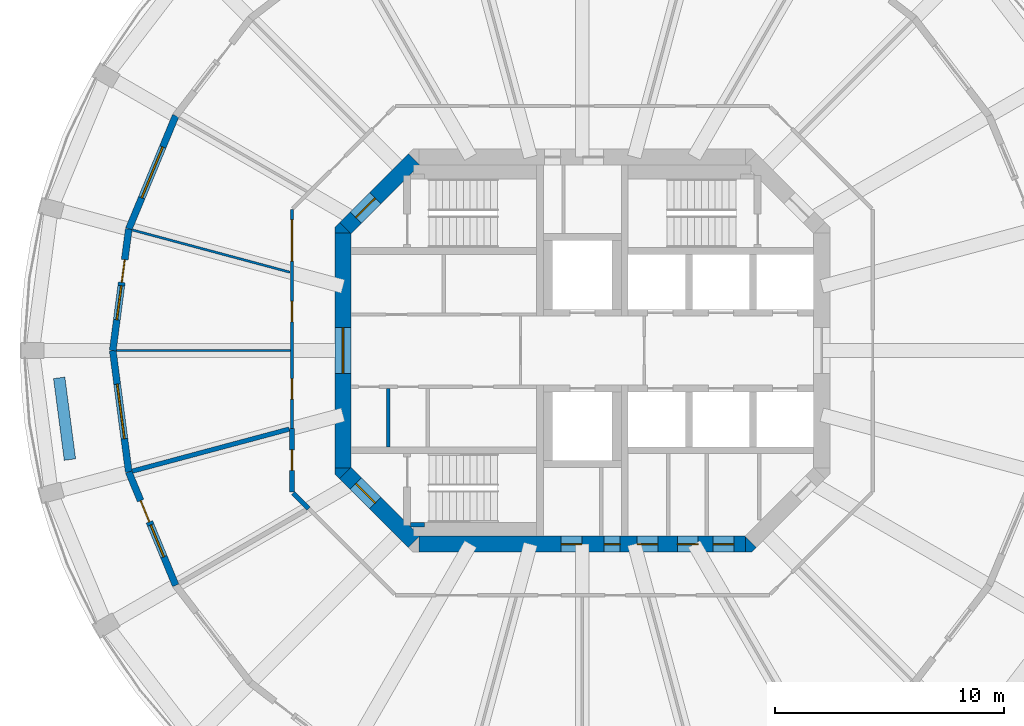
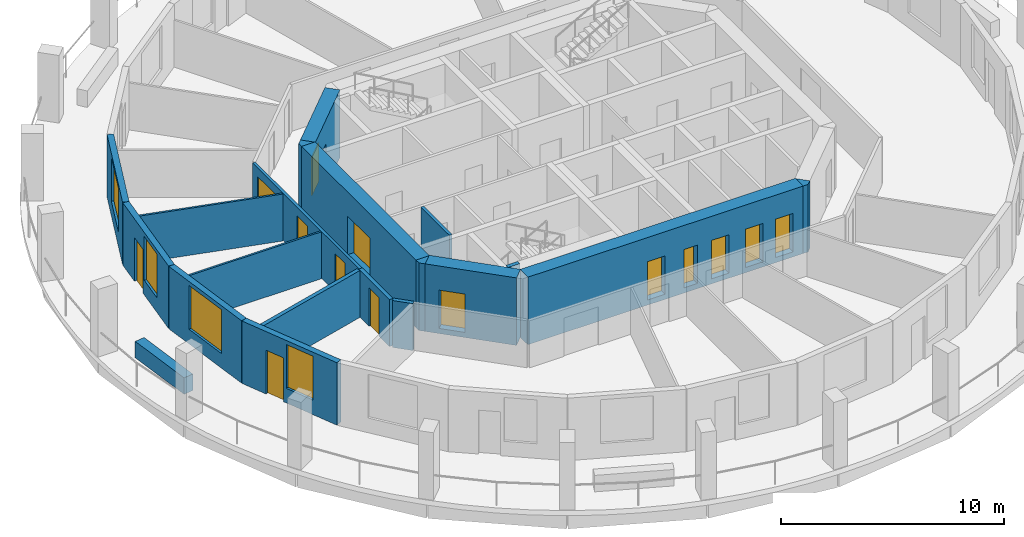
# One storey, part 3 of 9: 20 walls, 14 doors, 4 windows, 18 openings.
"""IFC4 building model written with IfcOpenShell, lengths in metres."""

from ifc_helpers import new_model, si_unit, direction, frame, frame_2d, origin, place, context, subcontext, project, spatial, polyline, rectangle, outline, extrude, material, layer, layer_set, type_object, element, fill, save


model = new_model("IFC4")

# Units and contexts
model_context = context("Model", 3, precision=1e-05, world=origin(), true_north=direction((0.0, 1.0)))
body_context = subcontext(model_context, "Body", "Model", "MODEL_VIEW")
ifc_project = project(units=[si_unit("LENGTHUNIT", "METRE"), si_unit("AREAUNIT", "SQUARE_METRE"), si_unit("VOLUMEUNIT", "CUBIC_METRE"), si_unit("PLANEANGLEUNIT", "RADIAN"), si_unit("MASSUNIT", "GRAM", prefix="KILO")], contexts=[model_context])

# Site, building, storey
site_placement = place(None, origin())
site = spatial("IfcSite", under=ifc_project, at=site_placement, CompositionType="ELEMENT")
building_placement = place(site_placement, origin())
building = spatial("IfcBuilding", under=site, at=building_placement, Name="Torre Triforio", CompositionType="ELEMENT")
storey_placement = place(building_placement, frame((0.0, 0.0, 237.199951171875)))
storey = spatial("IfcBuildingStorey", under=building, at=storey_placement, Name="L54", CompositionType="ELEMENT", Elevation=237.199951171875)

# Wall, openings, doors
ifc_material_1 = material(Name="Concrete C50", Category="concrete")
ifc_layer_1 = layer(ifc_material_1, 0.699951171875)
ifc_layer_set_1 = layer_set([ifc_layer_1], Name="Concrete C50")
wall_type_1 = type_object("IfcWallType", Name="Core wall 700 mm C50 EI 120", PredefinedType="SHEAR", material=ifc_layer_set_1)
wall_1_placement = place(storey_placement, frame((-7.1298828125, -8.449951171875, -0.280029296875), z_axis=(0.0, 0.0, 1.0), x_axis=(1.0, 0.0, 0.0)))
wall_1 = element("IfcWall", 1, at=wall_1_placement, inside=storey, type_object=wall_type_1, Name="Core wall", PredefinedType="SHEAR", context=body_context, shape_type="SweptSolid", body=[
    extrude(rectangle(XDim=14.259765625, YDim=0.699951171875, at=frame_2d((7.1298828125, 0.0))), origin(), (0.0, 0.0, 1.0), 3.7001953125),
])
opening_1_placement = place(wall_1_placement, frame((8.080078125, 0.0, 0.280029296875)))
opening_1 = element("IfcOpeningElement", 2, at=opening_1_placement, cuts=wall_1, Name="Opening RISER-S", PredefinedType="OPENING", context=body_context, shape_type="SweptSolid", body=[
    extrude(rectangle(XDim=0.699951171875, YDim=2.10009765625, at=frame_2d((0.35009765625, 1.050048828125))), frame((0.0, 0.35986328125, 0.0), z_axis=(0.0, -1.0, 0.0), x_axis=(1.0, 0.0, 0.0)), (0.0, 0.0, 1.0), 0.719970703125),
])
opening_2_placement = place(wall_1_placement, frame((6.205078125, 0.0, 0.280029296875)))
opening_2 = element("IfcOpeningElement", 3, at=opening_2_placement, cuts=wall_1, Name="Opening SW-01B", PredefinedType="OPENING", context=body_context, shape_type="SweptSolid", body=[
    extrude(rectangle(XDim=0.89990234375, YDim=2.10009765625, at=frame_2d((0.449951171875, 1.050048828125))), frame((0.0, 0.35986328125, 0.0), z_axis=(0.0, -1.0, 0.0), x_axis=(1.0, 0.0, 0.0)), (0.0, 0.0, 1.0), 0.719970703125),
])
opening_3_placement = place(wall_1_placement, frame((9.521484375, 0.0, 0.280029296875)))
opening_3 = element("IfcOpeningElement", 4, at=opening_3_placement, cuts=wall_1, Name="Opening SE-01", PredefinedType="OPENING", context=body_context, shape_type="SweptSolid", body=[
    extrude(rectangle(XDim=0.89990234375, YDim=2.10009765625, at=frame_2d((0.449951171875, 1.050048828125))), frame((0.0, 0.35986328125, 0.0), z_axis=(0.0, -1.0, 0.0), x_axis=(1.0, 0.0, 0.0)), (0.0, 0.0, 1.0), 0.719970703125),
])
opening_4_placement = place(wall_1_placement, frame((11.278076171875, 0.0, 0.280029296875)))
opening_4 = element("IfcOpeningElement", 5, at=opening_4_placement, cuts=wall_1, Name="Opening SE-02", PredefinedType="OPENING", context=body_context, shape_type="SweptSolid", body=[
    extrude(rectangle(XDim=0.89990234375, YDim=2.10009765625, at=frame_2d((0.449951171875, 1.050048828125))), frame((0.0, 0.35986328125, 0.0), z_axis=(0.0, -1.0, 0.0), x_axis=(1.0, 0.0, 0.0)), (0.0, 0.0, 1.0), 0.719970703125),
])
opening_5_placement = place(wall_1_placement, frame((12.840087890625, 0.0, 0.280029296875)))
opening_5 = element("IfcOpeningElement", 6, at=opening_5_placement, cuts=wall_1, Name="Opening SE-03", PredefinedType="OPENING", context=body_context, shape_type="SweptSolid", body=[
    extrude(rectangle(XDim=0.89990234375, YDim=2.10009765625, at=frame_2d((0.449951171875, 1.050048828125))), frame((0.0, 0.35986328125, 0.0), z_axis=(0.0, -1.0, 0.0), x_axis=(1.0, 0.0, 0.0)), (0.0, 0.0, 1.0), 0.719970703125),
])
ifc_material_2 = material(Name="Hollow metal fire door leaf")
door_type_1 = type_object("IfcDoorType", Name="Plant room door 900 x 2100 EI 60", OperationType="NOTDEFINED", PredefinedType="DOOR", material=ifc_material_2)
door_1_placement = place(opening_3_placement, origin())
door_1 = element("IfcDoor", 7, at=door_1_placement, inside=storey, type_object=door_type_1, Name="Core door SE-01", OperationType="SINGLE_SWING_LEFT", OverallHeight=2.10009765625, OverallWidth=0.89990234375, PredefinedType="DOOR", context=body_context, shape_type="SweptSolid", body=[
    extrude(rectangle(XDim=0.89990234375, YDim=2.10009765625, at=frame_2d((0.449951171875, 1.050048828125))), frame((0.0, 0.02490234375, 0.0), z_axis=(0.0, -1.0, 0.0), x_axis=(1.0, 0.0, 0.0)), (0.0, 0.0, 1.0), 0.050048828125),
])
fill(opening_3, door_1)
door_type_2 = type_object("IfcDoorType", Name="Riser door 700 x 2100 EI 60", OperationType="NOTDEFINED", PredefinedType="DOOR", material=ifc_material_2)
door_2_placement = place(opening_1_placement, origin())
door_2 = element("IfcDoor", 8, at=door_2_placement, inside=storey, type_object=door_type_2, Name="Core door RISER-S", OperationType="SINGLE_SWING_RIGHT", OverallHeight=2.10009765625, OverallWidth=0.699951171875, PredefinedType="DOOR", context=body_context, shape_type="SweptSolid", body=[
    extrude(rectangle(XDim=0.699951171875, YDim=2.10009765625, at=frame_2d((0.35009765625, 1.050048828125))), frame((0.0, 0.02490234375, 0.0), z_axis=(0.0, -1.0, 0.0), x_axis=(1.0, 0.0, 0.0)), (0.0, 0.0, 1.0), 0.050048828125),
])
fill(opening_1, door_2)
door_type_3 = type_object("IfcDoorType", Name="Room door 900 x 2100 EI 60", OperationType="NOTDEFINED", PredefinedType="DOOR", material=ifc_material_2)
door_3_placement = place(opening_2_placement, origin())
door_3 = element("IfcDoor", 9, at=door_3_placement, inside=storey, type_object=door_type_3, Name="Core door SW-01", OperationType="SINGLE_SWING_LEFT", OverallHeight=2.10009765625, OverallWidth=0.89990234375, PredefinedType="DOOR", context=body_context, shape_type="SweptSolid", body=[
    extrude(rectangle(XDim=0.89990234375, YDim=2.10009765625, at=frame_2d((0.449951171875, 1.050048828125))), frame((0.0, 0.02490234375, 0.0), z_axis=(0.0, -1.0, 0.0), x_axis=(1.0, 0.0, 0.0)), (0.0, 0.0, 1.0), 0.050048828125),
])
fill(opening_2, door_3)
door_4_placement = place(opening_4_placement, origin())
door_4 = element("IfcDoor", 10, at=door_4_placement, inside=storey, type_object=door_type_3, Name="Core door SE-02", OperationType="SINGLE_SWING_LEFT", OverallHeight=2.10009765625, OverallWidth=0.89990234375, PredefinedType="DOOR", context=body_context, shape_type="SweptSolid", body=[
    extrude(rectangle(XDim=0.89990234375, YDim=2.10009765625, at=frame_2d((0.449951171875, 1.050048828125))), frame((0.0, 0.02490234375, 0.0), z_axis=(0.0, -1.0, 0.0), x_axis=(1.0, 0.0, 0.0)), (0.0, 0.0, 1.0), 0.050048828125),
])
fill(opening_4, door_4)
door_5_placement = place(opening_5_placement, origin())
door_5 = element("IfcDoor", 11, at=door_5_placement, inside=storey, type_object=door_type_3, Name="Core door SE-03", OperationType="SINGLE_SWING_LEFT", OverallHeight=2.10009765625, OverallWidth=0.89990234375, PredefinedType="DOOR", context=body_context, shape_type="SweptSolid", body=[
    extrude(rectangle(XDim=0.89990234375, YDim=2.10009765625, at=frame_2d((0.449951171875, 1.050048828125))), frame((0.0, 0.02490234375, 0.0), z_axis=(0.0, -1.0, 0.0), x_axis=(1.0, 0.0, 0.0)), (0.0, 0.0, 1.0), 0.050048828125),
])
fill(opening_5, door_5)

# Wall, opening, door
wall_2_placement = place(storey_placement, frame((-10.449951171875, -5.1298828125, -0.280029296875), z_axis=(0.0, 0.0, 1.0), x_axis=(0.0, 1.0, 0.0)))
wall_2 = element("IfcWall", 12, at=wall_2_placement, inside=storey, type_object=wall_type_1, Name="Core wall", PredefinedType="SHEAR", context=body_context, shape_type="SweptSolid", body=[
    extrude(rectangle(XDim=10.259765625, YDim=0.699951171875, at=frame_2d((5.1298828125, 0.0))), origin(), (0.0, 0.0, 1.0), 3.7001953125),
])
opening_6_placement = place(wall_2_placement, frame((4.1298828125, 0.0, 0.280029296875)))
opening_6 = element("IfcOpeningElement", 13, at=opening_6_placement, cuts=wall_2, Name="Opening W-RING", PredefinedType="OPENING", context=body_context, shape_type="SweptSolid", body=[
    extrude(rectangle(XDim=2.0, YDim=2.10009765625, at=frame_2d((1.0, 1.050048828125))), frame((0.0, 0.35986328125, 0.0), z_axis=(0.0, -1.0, 0.0), x_axis=(1.0, 0.0, 0.0)), (0.0, 0.0, 1.0), 0.719970703125),
])
door_type_4 = type_object("IfcDoorType", Name="Lobby door 2000 x 2100 EI 60", OperationType="DOUBLE_DOOR_SINGLE_SWING", PredefinedType="DOOR", material=ifc_material_2)
door_6_placement = place(opening_6_placement, origin())
door_6 = element("IfcDoor", 14, at=door_6_placement, inside=storey, type_object=door_type_4, Name="Core door W-RING", OperationType="DOUBLE_DOOR_SINGLE_SWING", OverallHeight=2.10009765625, OverallWidth=2.0, PredefinedType="DOOR", context=body_context, shape_type="SweptSolid", body=[
    extrude(rectangle(XDim=2.0, YDim=2.10009765625, at=frame_2d((1.0, 1.050048828125))), frame((0.0, 0.02490234375, 0.0), z_axis=(0.0, -1.0, 0.0), x_axis=(1.0, 0.0, 0.0)), (0.0, 0.0, 1.0), 0.050048828125),
])
fill(opening_6, door_6)

wall_3_placement = place(storey_placement, frame((-10.347412109375, 5.347412109375, -0.280029296875), z_axis=(0.0, 0.0, 1.0), x_axis=(0.707106781187, 0.707106781187, 0.0)))
wall_3 = element("IfcWall", 15, at=wall_3_placement, inside=storey, type_object=wall_type_1, Name="Core wall", PredefinedType="SHEAR", context=body_context, shape_type="SweptSolid", body=[
    extrude(rectangle(XDim=4.24267578125, YDim=0.699951171875, at=frame_2d((2.121337890625, 0.0))), origin(), (0.0, 0.0, 1.0), 3.7001953125),
])
opening_7_placement = place(wall_3_placement, frame((0.64990234375, 0.0, 0.280029296875)))
opening_7 = element("IfcOpeningElement", 16, at=opening_7_placement, cuts=wall_3, Name="Opening ST1-EXIT", PredefinedType="OPENING", context=body_context, shape_type="SweptSolid", body=[
    extrude(rectangle(XDim=1.199951171875, YDim=2.10009765625, at=frame_2d((0.60009765625, 1.050048828125))), frame((0.0, 0.35986328125, 0.0), z_axis=(0.0, -1.0, 0.0), x_axis=(1.0, 0.0, 0.0)), (0.0, 0.0, 1.0), 0.719970703125),
])
door_type_5 = type_object("IfcDoorType", Name="Stair lobby door 1200 x 2100 EI 60", OperationType="NOTDEFINED", PredefinedType="DOOR", material=ifc_material_2)
door_7_placement = place(opening_7_placement, origin())
door_7 = element("IfcDoor", 17, at=door_7_placement, inside=storey, type_object=door_type_5, Name="Core door ST1-EXIT", OperationType="SINGLE_SWING_RIGHT", OverallHeight=2.10009765625, OverallWidth=1.199951171875, PredefinedType="DOOR", context=body_context, shape_type="SweptSolid", body=[
    extrude(rectangle(XDim=1.199951171875, YDim=2.10009765625, at=frame_2d((0.60009765625, 1.050048828125))), frame((0.0, 0.02490234375, 0.0), z_axis=(0.0, -1.0, 0.0), x_axis=(1.0, 0.0, 0.0)), (0.0, 0.0, 1.0), 0.050048828125),
])
fill(opening_7, door_7)

wall_4_placement = place(storey_placement, frame((-7.347412109375, -8.347412109375, -0.280029296875), z_axis=(0.0, 0.0, 1.0), x_axis=(-0.707106781187, 0.707106781187, 0.0)))
wall_4 = element("IfcWall", 18, at=wall_4_placement, inside=storey, type_object=wall_type_1, Name="Core wall", PredefinedType="SHEAR", context=body_context, shape_type="SweptSolid", body=[
    extrude(rectangle(XDim=4.24267578125, YDim=0.699951171875, at=frame_2d((2.121337890625, 0.0))), origin(), (0.0, 0.0, 1.0), 3.7001953125),
])
opening_8_placement = place(wall_4_placement, frame((2.392578125, 0.0, 0.280029296875)))
opening_8 = element("IfcOpeningElement", 19, at=opening_8_placement, cuts=wall_4, Name="Opening ST3-EXIT", PredefinedType="OPENING", context=body_context, shape_type="SweptSolid", body=[
    extrude(rectangle(XDim=1.199951171875, YDim=2.10009765625, at=frame_2d((0.60009765625, 1.050048828125))), frame((0.0, 0.35986328125, 0.0), z_axis=(0.0, -1.0, 0.0), x_axis=(1.0, 0.0, 0.0)), (0.0, 0.0, 1.0), 0.719970703125),
])
door_8_placement = place(opening_8_placement, origin())
door_8 = element("IfcDoor", 20, at=door_8_placement, inside=storey, type_object=door_type_5, Name="Core door ST3-EXIT", OperationType="SINGLE_SWING_RIGHT", OverallHeight=2.10009765625, OverallWidth=1.199951171875, PredefinedType="DOOR", context=body_context, shape_type="SweptSolid", body=[
    extrude(rectangle(XDim=1.199951171875, YDim=2.10009765625, at=frame_2d((0.60009765625, 1.050048828125))), frame((0.0, 0.02490234375, 0.0), z_axis=(0.0, -1.0, 0.0), x_axis=(1.0, 0.0, 0.0)), (0.0, 0.0, 1.0), 0.050048828125),
])
fill(opening_8, door_8)

# Walls
wall_5_placement = place(storey_placement, frame((0.0, 0.0, -0.280029296875)))
element("IfcWall", 21, at=wall_5_placement, inside=storey, type_object=wall_type_1, Name="Core wall", PredefinedType="SHEAR", context=body_context, shape_type="SweptSolid", body=[
    extrude(outline(polyline([(7.389892578125, -8.800048828125), (7.1298828125, -8.800048828125), (7.1298828125, -8.800048828125), (7.1298828125, -8.1298828125), (7.594970703125, -8.594970703125), (7.594970703125, -8.594970703125), (7.594970703125, -8.594970703125), (7.389892578125, -8.800048828125)])), origin(), (0.0, 0.0, 1.0), 3.7001953125),
])
wall_6_placement = place(storey_placement, frame((0.0, 0.0, -0.280029296875)))
element("IfcWall", 22, at=wall_6_placement, inside=storey, type_object=wall_type_1, Name="Core wall", PredefinedType="SHEAR", context=body_context, shape_type="SweptSolid", body=[
    extrude(outline(polyline([(-10.800048828125, -5.389892578125), (-10.800048828125, -5.1298828125), (-10.800048828125, -5.1298828125), (-10.1298828125, -5.1298828125), (-10.594970703125, -5.594970703125), (-10.594970703125, -5.594970703125), (-10.594970703125, -5.594970703125), (-10.800048828125, -5.389892578125)])), origin(), (0.0, 0.0, 1.0), 3.7001953125),
])
wall_7_placement = place(storey_placement, frame((0.0, 0.0, -0.280029296875)))
element("IfcWall", 23, at=wall_7_placement, inside=storey, type_object=wall_type_1, Name="Core wall", PredefinedType="SHEAR", context=body_context, shape_type="SweptSolid", body=[
    extrude(outline(polyline([(-10.594970703125, 5.594970703125), (-10.594970703125, 5.594970703125), (-10.594970703125, 5.594970703125), (-10.1298828125, 5.1298828125), (-10.800048828125, 5.1298828125), (-10.800048828125, 5.1298828125), (-10.800048828125, 5.389892578125), (-10.594970703125, 5.594970703125)])), origin(), (0.0, 0.0, 1.0), 3.7001953125),
])

# Wall, openings, doors
ifc_material_3 = material(Name="Plasterboard on metal studs")
ifc_layer_2 = layer(ifc_material_3, 0.14990234375)
ifc_layer_set_2 = layer_set([ifc_layer_2], Name="Plasterboard on metal studs")
wall_type_2 = type_object("IfcWallType", Name="Corridor and tenancy wall 150 mm EI 60", PredefinedType="PARTITIONING", material=ifc_layer_set_2)
wall_8_placement = place(storey_placement, frame((-12.675048828125, -3.396240234375, 0.0), z_axis=(0.0, 0.0, 1.0), x_axis=(0.0, 1.0, 0.0)))
wall_8 = element("IfcWall", 24, at=wall_8_placement, inside=storey, type_object=wall_type_2, Name="Partition 6", PredefinedType="PARTITIONING", context=body_context, shape_type="SweptSolid", body=[
    extrude(rectangle(XDim=9.562744140625, YDim=0.14990234375, at=frame_2d((4.78125, 0.0))), origin(), (0.0, 0.0, 1.0), 2.570068359375),
])
opening_9_placement = place(wall_8_placement, frame((7.302734375, 0.0, 0.0)))
opening_9 = element("IfcOpeningElement", 25, at=opening_9_placement, cuts=wall_8, Name="Opening O8-13", PredefinedType="OPENING", context=body_context, shape_type="SweptSolid", body=[
    extrude(rectangle(XDim=1.800048828125, YDim=2.10009765625, at=frame_2d((0.89990234375, 1.050048828125))), frame((0.0, 0.0849609375, 0.0), z_axis=(0.0, -1.0, 0.0), x_axis=(1.0, 0.0, 0.0)), (0.0, 0.0, 1.0), 0.169921875),
])
opening_10_placement = place(wall_8_placement, frame((4.645263671875, 0.0, 0.0)))
opening_10 = element("IfcOpeningElement", 26, at=opening_10_placement, cuts=wall_8, Name="Opening O8-14", PredefinedType="OPENING", context=body_context, shape_type="SweptSolid", body=[
    extrude(rectangle(XDim=0.89990234375, YDim=2.10009765625, at=frame_2d((0.449951171875, 1.050048828125))), frame((0.0, 0.0849609375, 0.0), z_axis=(0.0, -1.0, 0.0), x_axis=(1.0, 0.0, 0.0)), (0.0, 0.0, 1.0), 0.169921875),
])
opening_11_placement = place(wall_8_placement, frame((1.273193359375, 0.0, 0.0)))
opening_11 = element("IfcOpeningElement", 27, at=opening_11_placement, cuts=wall_8, Name="Opening O8-15", PredefinedType="OPENING", context=body_context, shape_type="SweptSolid", body=[
    extrude(rectangle(XDim=0.89990234375, YDim=2.10009765625, at=frame_2d((0.449951171875, 1.050048828125))), frame((0.0, 0.0849609375, 0.0), z_axis=(0.0, -1.0, 0.0), x_axis=(1.0, 0.0, 0.0)), (0.0, 0.0, 1.0), 0.169921875),
])
ifc_material_4 = material(Name="Timber", Category="wood")
door_type_6 = type_object("IfcDoorType", Name="Door 1800 x 2100 double leaf EI 30", OperationType="DOUBLE_DOOR_SINGLE_SWING", PredefinedType="DOOR", material=ifc_material_4)
door_9_placement = place(opening_9_placement, origin())
door_9 = element("IfcDoor", 28, at=door_9_placement, inside=storey, type_object=door_type_6, Name="Door O8-13", OperationType="DOUBLE_DOOR_SINGLE_SWING", OverallHeight=2.10009765625, OverallWidth=1.800048828125, PredefinedType="DOOR", context=body_context, shape_type="SweptSolid", body=[
    extrude(rectangle(XDim=1.800048828125, YDim=2.10009765625, at=frame_2d((0.89990234375, 1.050048828125))), frame((0.0, 0.02490234375, 0.0), z_axis=(0.0, -1.0, 0.0), x_axis=(1.0, 0.0, 0.0)), (0.0, 0.0, 1.0), 0.050048828125),
])
fill(opening_9, door_9)
door_type_7 = type_object("IfcDoorType", Name="Door 900 x 2100 single leaf EI 30", OperationType="NOTDEFINED", PredefinedType="DOOR", material=ifc_material_4)
door_10_placement = place(opening_10_placement, origin())
door_10 = element("IfcDoor", 29, at=door_10_placement, inside=storey, type_object=door_type_7, Name="Door O8-14", OperationType="SINGLE_SWING_LEFT", OverallHeight=2.10009765625, OverallWidth=0.89990234375, PredefinedType="DOOR", context=body_context, shape_type="SweptSolid", body=[
    extrude(rectangle(XDim=0.89990234375, YDim=2.10009765625, at=frame_2d((0.449951171875, 1.050048828125))), frame((0.0, 0.02490234375, 0.0), z_axis=(0.0, -1.0, 0.0), x_axis=(1.0, 0.0, 0.0)), (0.0, 0.0, 1.0), 0.050048828125),
])
fill(opening_10, door_10)
door_11_placement = place(opening_11_placement, origin())
door_11 = element("IfcDoor", 30, at=door_11_placement, inside=storey, type_object=door_type_7, Name="Door O8-15", OperationType="SINGLE_SWING_LEFT", OverallHeight=2.10009765625, OverallWidth=0.89990234375, PredefinedType="DOOR", context=body_context, shape_type="SweptSolid", body=[
    extrude(rectangle(XDim=0.89990234375, YDim=2.10009765625, at=frame_2d((0.449951171875, 1.050048828125))), frame((0.0, 0.02490234375, 0.0), z_axis=(0.0, -1.0, 0.0), x_axis=(1.0, 0.0, 0.0)), (0.0, 0.0, 1.0), 0.050048828125),
])
fill(opening_11, door_11)

# Walls
ifc_layer_3 = layer(ifc_material_3, 0.10009765625)
ifc_layer_set_3 = layer_set([ifc_layer_3], Name="Plasterboard on metal studs")
wall_type_3 = type_object("IfcWallType", Name="Partition 100 mm board on metal studs", PredefinedType="PARTITIONING", material=ifc_layer_set_3)
wall_9_placement = place(storey_placement, frame((-12.764404296875, 3.420166015625, 0.0), z_axis=(0.0, 0.0, 1.0), x_axis=(-0.965928160208, 0.258810334643, 0.0)))
element("IfcWall", 31, at=wall_9_placement, inside=storey, type_object=wall_type_3, Name="Partition 18", PredefinedType="PARTITIONING", context=body_context, shape_type="SweptSolid", body=[
    extrude(rectangle(XDim=7.1220703125, YDim=0.10009765625, at=frame_2d((3.56103515625, 0.0))), origin(), (0.0, 0.0, 1.0), 2.570068359375),
])
wall_10_placement = place(storey_placement, frame((-12.75, 0.0, 0.0), z_axis=(0.0, 0.0, 1.0), x_axis=(-1.0, 0.0, 0.0)))
element("IfcWall", 32, at=wall_10_placement, inside=storey, type_object=wall_type_3, Name="Partition 19", PredefinedType="PARTITIONING", context=body_context, shape_type="SweptSolid", body=[
    extrude(rectangle(XDim=7.586669921875, YDim=0.10009765625, at=frame_2d((3.79345703125, 0.0))), origin(), (0.0, 0.0, 1.0), 2.570068359375),
])
ifc_material_5 = material(Name="Block and board partition")
ifc_layer_4 = layer(ifc_material_5, 0.14990234375)
ifc_layer_set_4 = layer_set([ifc_layer_4], Name="Block and board partition")
wall_type_4 = type_object("IfcWallType", Name="Partition 150 mm", PredefinedType="PARTITIONING", material=ifc_layer_set_4)
wall_11_placement = place(storey_placement, frame((-8.465087890625, -4.199951171875, 0.0), z_axis=(0.0, 0.0, 1.0), x_axis=(0.0, 1.0, 0.0)))
element("IfcWall", 33, at=wall_11_placement, inside=storey, type_object=wall_type_4, Name="Partition", PredefinedType="PARTITIONING", context=body_context, shape_type="SweptSolid", body=[
    extrude(rectangle(XDim=2.550048828125, YDim=0.14990234375, at=frame_2d((1.27490234375, 0.0))), origin(), (0.0, 0.0, 1.0), 3.420166015625),
])
ifc_material_6 = material(Name="Masonry block", Category="masonry")
ifc_layer_5 = layer(ifc_material_6, 0.199951171875)
ifc_layer_set_5 = layer_set([ifc_layer_5], Name="Masonry block")
wall_type_5 = type_object("IfcWallType", Name="Plant room wall 200 mm block EI 120", PredefinedType="PARTITIONING", material=ifc_layer_set_5)
wall_12_placement = place(storey_placement, frame((-11.945068359375, -6.896484375, 0.0), z_axis=(0.0, 0.0, 1.0), x_axis=(-0.707106781187, 0.707106781187, 0.0)))
element("IfcWall", 34, at=wall_12_placement, inside=storey, type_object=wall_type_5, Name="Partition 4", PredefinedType="PARTITIONING", context=body_context, shape_type="SweptSolid", body=[
    extrude(rectangle(XDim=0.962158203125, YDim=0.199951171875, at=frame_2d((0.48095703125, 0.0))), origin(), (0.0, 0.0, 1.0), 2.570068359375),
])

# Wall, opening, door
wall_13_placement = place(storey_placement, frame((-12.675048828125, -6.16650390625, 0.0), z_axis=(0.0, 0.0, 1.0), x_axis=(0.0, 1.0, 0.0)))
wall_13 = element("IfcWall", 35, at=wall_13_placement, inside=storey, type_object=wall_type_5, Name="Partition 5", PredefinedType="PARTITIONING", context=body_context, shape_type="SweptSolid", body=[
    extrude(rectangle(XDim=2.770263671875, YDim=0.199951171875, at=frame_2d((1.38525390625, 0.0))), origin(), (0.0, 0.0, 1.0), 2.570068359375),
])
opening_12_placement = place(wall_13_placement, frame((0.935302734375, 0.0, 0.0)))
opening_12 = element("IfcOpeningElement", 36, at=opening_12_placement, cuts=wall_13, Name="Opening O8-16", PredefinedType="OPENING", context=body_context, shape_type="SweptSolid", body=[
    extrude(rectangle(XDim=0.89990234375, YDim=2.10009765625, at=frame_2d((0.449951171875, 1.050048828125))), frame((0.0, 0.10986328125, 0.0), z_axis=(0.0, -1.0, 0.0), x_axis=(1.0, 0.0, 0.0)), (0.0, 0.0, 1.0), 0.219970703125),
])
door_type_8 = type_object("IfcDoorType", Name="Door 900 x 2100 single leaf EI 60", OperationType="NOTDEFINED", PredefinedType="DOOR", material=ifc_material_2)
door_12_placement = place(opening_12_placement, origin())
door_12 = element("IfcDoor", 37, at=door_12_placement, inside=storey, type_object=door_type_8, Name="Door O8-16", OperationType="SINGLE_SWING_LEFT", OverallHeight=2.10009765625, OverallWidth=0.89990234375, PredefinedType="DOOR", context=body_context, shape_type="SweptSolid", body=[
    extrude(rectangle(XDim=0.89990234375, YDim=2.10009765625, at=frame_2d((0.449951171875, 1.050048828125))), frame((0.0, 0.02490234375, 0.0), z_axis=(0.0, -1.0, 0.0), x_axis=(1.0, 0.0, 0.0)), (0.0, 0.0, 1.0), 0.050048828125),
])
fill(opening_12, door_12)

# Walls
wall_14_placement = place(storey_placement, frame((-12.800537109375, -3.429931640625, 0.0), z_axis=(0.0, 0.0, 1.0), x_axis=(-0.965931131848, -0.258799243674, 0.0)))
element("IfcWall", 38, at=wall_14_placement, inside=storey, type_object=wall_type_5, Name="Partition 20", PredefinedType="PARTITIONING", context=body_context, shape_type="SweptSolid", body=[
    extrude(rectangle(XDim=7.084716796875, YDim=0.199951171875, at=frame_2d((3.54248046875, 0.0))), origin(), (0.0, 0.0, 1.0), 2.570068359375),
])
ifc_material_7 = material(Name="Limestone cladding", Category="masonry")
ifc_layer_6 = layer(ifc_material_7, 0.10009765625)
ifc_material_8 = material(Name="Concrete C40", Category="concrete")
ifc_layer_7 = layer(ifc_material_8, 0.39990234375)
ifc_layer_set_6 = layer_set([ifc_layer_6, ifc_layer_7], Name="Limestone cladding / Concrete C40")
wall_type_6 = type_object("IfcWallType", Name="Planter wall 500", PredefinedType="PARAPET", material=ifc_layer_set_6)
wall_15_placement = place(storey_placement, frame((-22.83984375, -1.19140625, 0.0), z_axis=(0.0, 0.0, 1.0), x_axis=(0.130484336385, -0.9914503709, 0.0)))
element("IfcWall", 39, at=wall_15_placement, inside=storey, type_object=wall_type_6, Name="Planter L54 bay 13", PredefinedType="PARAPET", context=body_context, shape_type="SweptSolid", body=[
    extrude(rectangle(XDim=3.599853515625, YDim=0.5, at=frame_2d((1.7998046875, 0.0))), origin(), (0.0, 0.0, 1.0), 0.900146484375),
])
ifc_layer_8 = layer(ifc_material_1, 0.199951171875)
ifc_layer_set_7 = layer_set([ifc_layer_8], Name="Concrete C50")
wall_type_7 = type_object("IfcWallType", Name="Stair wall 200 mm C50 EI 120", PredefinedType="SHEAR", material=ifc_layer_set_7)
wall_16_placement = place(storey_placement, frame((-7.5, -7.60009765625, 0.0), z_axis=(0.0, 0.0, 1.0), x_axis=(1.0, 0.0, 0.0)))
element("IfcWall", 40, at=wall_16_placement, inside=storey, type_object=wall_type_7, Name="Stair wall", PredefinedType="SHEAR", context=body_context, shape_type="SweptSolid", body=[
    extrude(rectangle(XDim=0.60009765625, YDim=0.199951171875, at=frame_2d((0.300048828125, 0.0))), origin(), (0.0, 0.0, 1.0), 3.420166015625),
])

# Wall, opening, window
ifc_layer_9 = layer(ifc_material_7, 0.10009765625)
ifc_layer_10 = layer(ifc_material_8, 0.199951171875)
ifc_layer_set_8 = layer_set([ifc_layer_9, ifc_layer_10], Name="Limestone cladding / Concrete C40")
wall_type_8 = type_object("IfcWallType", Name="Stone-faced composite wall 300", PredefinedType="STANDARD", material=ifc_layer_set_8)
wall_17_placement = place(storey_placement, frame((-17.75341796875, 10.25, 0.0), z_axis=(0.0, 0.0, 1.0), x_axis=(-0.382713071139, -0.923867255172, 0.0)))
wall_17 = element("IfcWall", 41, at=wall_17_placement, inside=storey, type_object=wall_type_8, Name="External wall L54 bay 11", PredefinedType="STANDARD", context=body_context, shape_type="SweptSolid", body=[
    extrude(rectangle(XDim=5.3515625, YDim=0.300048828125, at=frame_2d((2.67578125, 0.0))), origin(), (0.0, 0.0, 1.0), 3.420166015625),
])
opening_13_placement = place(wall_17_placement, frame((1.475830078125, 0.0, 0.800048828125)))
opening_13 = element("IfcOpeningElement", 42, at=opening_13_placement, cuts=wall_17, Name="Opening O8-W11", PredefinedType="OPENING", context=body_context, shape_type="SweptSolid", body=[
    extrude(rectangle(XDim=2.39990234375, YDim=2.39990234375, at=frame_2d((1.199951171875, 1.199951171875))), frame((0.0, 0.159912109375, 0.0), z_axis=(0.0, -1.0, 0.0), x_axis=(1.0, 0.0, 0.0)), (0.0, 0.0, 1.0), 0.320068359375),
])
ifc_material_9 = material(Name="Aluminium frame with clear double glazing", Category="aluminium")
window_type_1 = type_object("IfcWindowType", Name="Punched window 2400 x 2400", PartitioningType="DOUBLE_PANEL_VERTICAL", PredefinedType="WINDOW", material=ifc_material_9)
window_1_placement = place(opening_13_placement, origin())
window_1 = element("IfcWindow", 43, at=window_1_placement, inside=storey, type_object=window_type_1, Name="Window EWN4 L54 bay 11", OverallHeight=2.39990234375, OverallWidth=2.39990234375, PartitioningType="SINGLE_PANEL", PredefinedType="WINDOW", context=body_context, shape_type="SweptSolid", body=[
    extrude(rectangle(XDim=2.39990234375, YDim=2.39990234375, at=frame_2d((1.199951171875, 1.199951171875))), frame((0.0, 0.030029296875, 0.0), z_axis=(0.0, -1.0, 0.0), x_axis=(1.0, 0.0, 0.0)), (0.0, 0.0, 1.0), 0.06005859375),
])
fill(opening_13, window_1)

# Wall, openings, door, window
wall_18_placement = place(storey_placement, frame((-19.801513671875, 5.305908203125, 0.0), z_axis=(0.0, 0.0, 1.0), x_axis=(-0.130517056518, -0.991446064069, 0.0)))
wall_18 = element("IfcWall", 44, at=wall_18_placement, inside=storey, type_object=wall_type_8, Name="External wall L54 bay 12", PredefinedType="STANDARD", context=body_context, shape_type="SweptSolid", body=[
    extrude(rectangle(XDim=5.351806640625, YDim=0.300048828125, at=frame_2d((2.67578125, 0.0))), origin(), (0.0, 0.0, 1.0), 3.420166015625),
])
opening_14_placement = place(wall_18_placement, frame((1.350830078125, 0.0, 0.0)))
opening_14 = element("IfcOpeningElement", 45, at=opening_14_placement, cuts=wall_18, Name="Opening O8-D12", PredefinedType="OPENING", context=body_context, shape_type="SweptSolid", body=[
    extrude(rectangle(XDim=1.0, YDim=2.39990234375, at=frame_2d((0.5, 1.199951171875))), frame((0.0, 0.159912109375, 0.0), z_axis=(0.0, -1.0, 0.0), x_axis=(1.0, 0.0, 0.0)), (0.0, 0.0, 1.0), 0.320068359375),
])
opening_15_placement = place(wall_18_placement, frame((2.500732421875, 0.0, 0.800048828125)))
opening_15 = element("IfcOpeningElement", 46, at=opening_15_placement, cuts=wall_18, Name="Opening O8-W12A", PredefinedType="OPENING", context=body_context, shape_type="SweptSolid", body=[
    extrude(rectangle(XDim=1.5, YDim=2.39990234375, at=frame_2d((0.75, 1.199951171875))), frame((0.0, 0.159912109375, 0.0), z_axis=(0.0, -1.0, 0.0), x_axis=(1.0, 0.0, 0.0)), (0.0, 0.0, 1.0), 0.320068359375),
])
door_type_9 = type_object("IfcDoorType", Name="Loggia door 1000 x 2400", OperationType="NOTDEFINED", PredefinedType="DOOR", material=ifc_material_9)
door_13_placement = place(opening_14_placement, origin())
door_13 = element("IfcDoor", 47, at=door_13_placement, inside=storey, type_object=door_type_9, Name="Loggia door L54 bay 12", OperationType="SINGLE_SWING_LEFT", OverallHeight=2.39990234375, OverallWidth=1.0, PredefinedType="DOOR", context=body_context, shape_type="SweptSolid", body=[
    extrude(rectangle(XDim=1.0, YDim=2.39990234375, at=frame_2d((0.5, 1.199951171875))), frame((0.0, 0.02490234375, 0.0), z_axis=(0.0, -1.0, 0.0), x_axis=(1.0, 0.0, 0.0)), (0.0, 0.0, 1.0), 0.050048828125),
])
fill(opening_14, door_13)
window_type_2 = type_object("IfcWindowType", Name="Side window 1500 x 2400", PartitioningType="SINGLE_PANEL", PredefinedType="WINDOW", material=ifc_material_9)
window_2_placement = place(opening_15_placement, origin())
window_2 = element("IfcWindow", 48, at=window_2_placement, inside=storey, type_object=window_type_2, Name="Side window EWN14 L54 bay 12", OverallHeight=2.39990234375, OverallWidth=1.5, PartitioningType="SINGLE_PANEL", PredefinedType="WINDOW", context=body_context, shape_type="SweptSolid", body=[
    extrude(rectangle(XDim=1.5, YDim=2.39990234375, at=frame_2d((0.75, 1.199951171875))), frame((0.0, 0.030029296875, 0.0), z_axis=(0.0, -1.0, 0.0), x_axis=(1.0, 0.0, 0.0)), (0.0, 0.0, 1.0), 0.06005859375),
])
fill(opening_15, window_2)

# Wall, opening, window
wall_19_placement = place(storey_placement, frame((-20.5, 0.0, 0.0), z_axis=(0.0, 0.0, 1.0), x_axis=(0.130517056518, -0.991446064069, 0.0)))
wall_19 = element("IfcWall", 49, at=wall_19_placement, inside=storey, type_object=wall_type_8, Name="External wall L54 bay 13", PredefinedType="STANDARD", context=body_context, shape_type="SweptSolid", body=[
    extrude(rectangle(XDim=5.351806640625, YDim=0.300048828125, at=frame_2d((2.67578125, 0.0))), origin(), (0.0, 0.0, 1.0), 3.420166015625),
])
opening_16_placement = place(wall_19_placement, frame((1.475830078125, 0.0, 0.800048828125)))
opening_16 = element("IfcOpeningElement", 50, at=opening_16_placement, cuts=wall_19, Name="Opening O8-W13", PredefinedType="OPENING", context=body_context, shape_type="SweptSolid", body=[
    extrude(rectangle(XDim=2.39990234375, YDim=2.39990234375, at=frame_2d((1.199951171875, 1.199951171875))), frame((0.0, 0.159912109375, 0.0), z_axis=(0.0, -1.0, 0.0), x_axis=(1.0, 0.0, 0.0)), (0.0, 0.0, 1.0), 0.320068359375),
])
window_3_placement = place(opening_16_placement, origin())
window_3 = element("IfcWindow", 51, at=window_3_placement, inside=storey, type_object=window_type_1, Name="Window EWN4 L54 bay 13", OverallHeight=2.39990234375, OverallWidth=2.39990234375, PartitioningType="SINGLE_PANEL", PredefinedType="WINDOW", context=body_context, shape_type="SweptSolid", body=[
    extrude(rectangle(XDim=2.39990234375, YDim=2.39990234375, at=frame_2d((1.199951171875, 1.199951171875))), frame((0.0, 0.030029296875, 0.0), z_axis=(0.0, -1.0, 0.0), x_axis=(1.0, 0.0, 0.0)), (0.0, 0.0, 1.0), 0.06005859375),
])
fill(opening_16, window_3)

# Wall, openings, door, window
wall_20_placement = place(storey_placement, frame((-19.801513671875, -5.305908203125, 0.0), z_axis=(0.0, 0.0, 1.0), x_axis=(0.382713071139, -0.923867255172, 0.0)))
wall_20 = element("IfcWall", 52, at=wall_20_placement, inside=storey, type_object=wall_type_8, Name="External wall L54 bay 14", PredefinedType="STANDARD", context=body_context, shape_type="SweptSolid", body=[
    extrude(rectangle(XDim=5.3515625, YDim=0.300048828125, at=frame_2d((2.67578125, 0.0))), origin(), (0.0, 0.0, 1.0), 3.420166015625),
])
opening_17_placement = place(wall_20_placement, frame((1.350830078125, 0.0, 0.0)))
opening_17 = element("IfcOpeningElement", 53, at=opening_17_placement, cuts=wall_20, Name="Opening O8-D14", PredefinedType="OPENING", context=body_context, shape_type="SweptSolid", body=[
    extrude(rectangle(XDim=1.0, YDim=2.39990234375, at=frame_2d((0.5, 1.199951171875))), frame((0.0, 0.159912109375, 0.0), z_axis=(0.0, -1.0, 0.0), x_axis=(1.0, 0.0, 0.0)), (0.0, 0.0, 1.0), 0.320068359375),
])
opening_18_placement = place(wall_20_placement, frame((2.500732421875, 0.0, 0.800048828125)))
opening_18 = element("IfcOpeningElement", 54, at=opening_18_placement, cuts=wall_20, Name="Opening O8-W14A", PredefinedType="OPENING", context=body_context, shape_type="SweptSolid", body=[
    extrude(rectangle(XDim=1.5, YDim=2.39990234375, at=frame_2d((0.75, 1.199951171875))), frame((0.0, 0.159912109375, 0.0), z_axis=(0.0, -1.0, 0.0), x_axis=(1.0, 0.0, 0.0)), (0.0, 0.0, 1.0), 0.320068359375),
])
door_14_placement = place(opening_17_placement, origin())
door_14 = element("IfcDoor", 55, at=door_14_placement, inside=storey, type_object=door_type_9, Name="Loggia door L54 bay 14", OperationType="SINGLE_SWING_LEFT", OverallHeight=2.39990234375, OverallWidth=1.0, PredefinedType="DOOR", context=body_context, shape_type="SweptSolid", body=[
    extrude(rectangle(XDim=1.0, YDim=2.39990234375, at=frame_2d((0.5, 1.199951171875))), frame((0.0, 0.02490234375, 0.0), z_axis=(0.0, -1.0, 0.0), x_axis=(1.0, 0.0, 0.0)), (0.0, 0.0, 1.0), 0.050048828125),
])
fill(opening_17, door_14)
window_4_placement = place(opening_18_placement, origin())
window_4 = element("IfcWindow", 56, at=window_4_placement, inside=storey, type_object=window_type_2, Name="Side window EWN14 L54 bay 14", OverallHeight=2.39990234375, OverallWidth=1.5, PartitioningType="SINGLE_PANEL", PredefinedType="WINDOW", context=body_context, shape_type="SweptSolid", body=[
    extrude(rectangle(XDim=1.5, YDim=2.39990234375, at=frame_2d((0.75, 1.199951171875))), frame((0.0, 0.030029296875, 0.0), z_axis=(0.0, -1.0, 0.0), x_axis=(1.0, 0.0, 0.0)), (0.0, 0.0, 1.0), 0.06005859375),
])
fill(opening_18, window_4)

save(model, "model.ifc")
